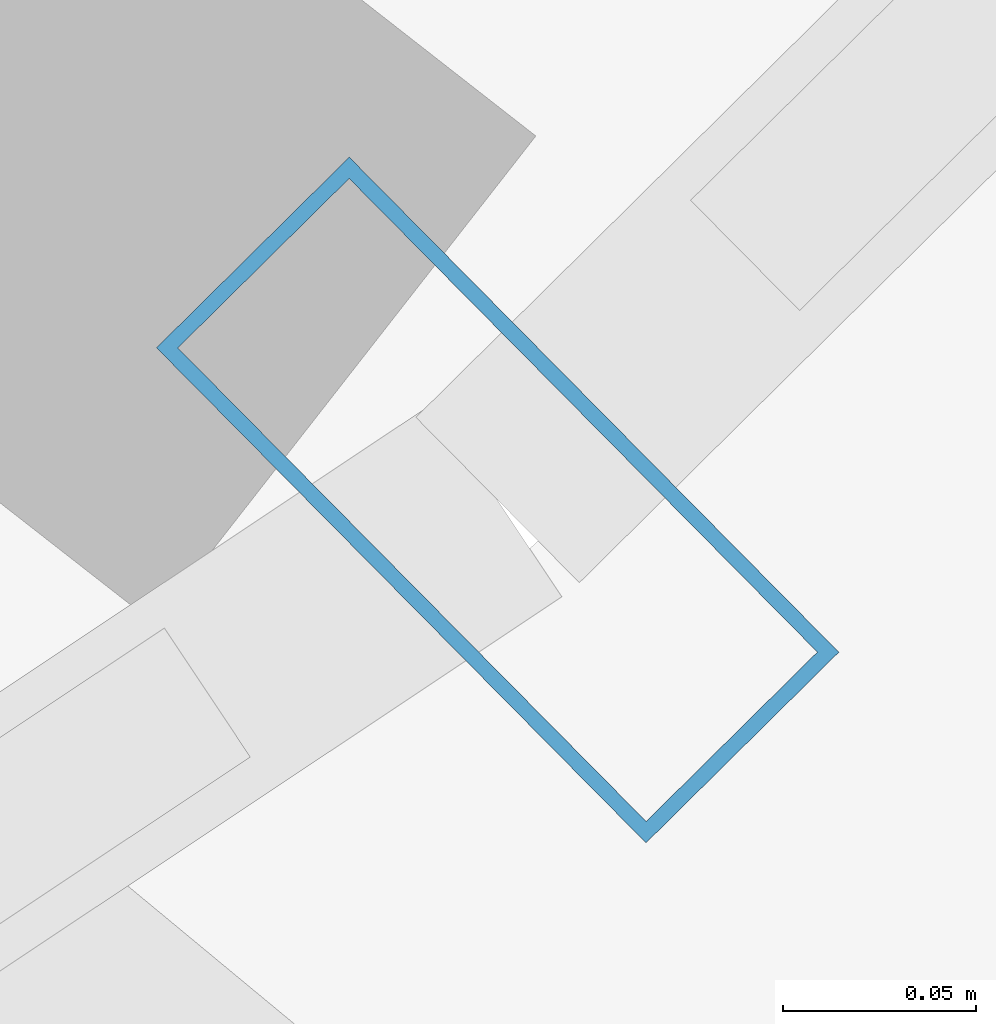
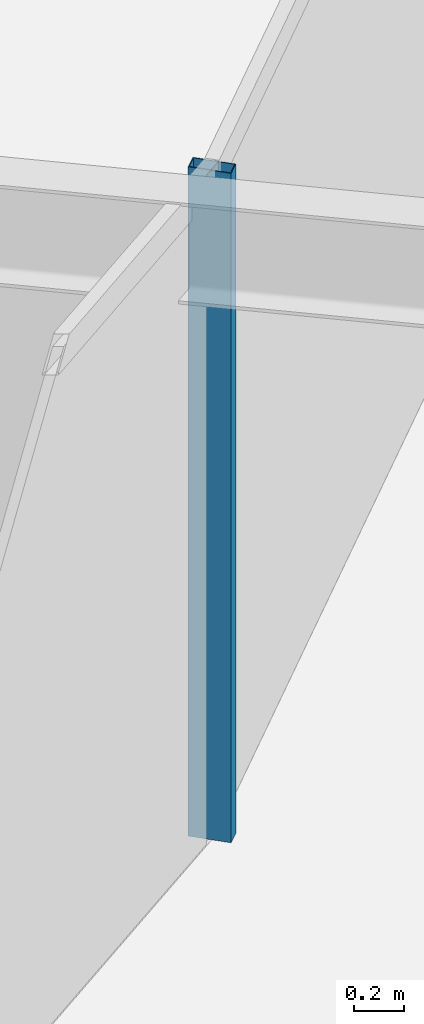
# One storey, part 7 of 21: 1 member, 1 element without a shape of its own.
"""IFC4 building model written with IfcOpenShell, lengths in metres."""

from ifc_helpers import new_model, si_unit, direction, frame, origin, origin_2d, place, context, subcontext, project, spatial, hollow_rectangle, extrude, material, layer, layer_set, material_profile, profile_set, type_object, element, aggregate, save


model = new_model("IFC4")

# Units and contexts
model_context = context("Model", 3, precision=1e-05, world=origin(), true_north=direction((0.0, 1.0)))
body_context = subcontext(model_context, "Body", "Model", "MODEL_VIEW")
ifc_project = project(units=[si_unit("LENGTHUNIT", "METRE"), si_unit("AREAUNIT", "SQUARE_METRE"), si_unit("VOLUMEUNIT", "CUBIC_METRE"), si_unit("PLANEANGLEUNIT", "RADIAN"), si_unit("MASSUNIT", "GRAM", prefix="KILO")], contexts=[model_context])

# Site, building, storey
site_placement = place(None, origin())
site = spatial("IfcSite", under=ifc_project, at=site_placement, CompositionType="ELEMENT")
building_placement = place(site_placement, origin())
building = spatial("IfcBuilding", under=site, at=building_placement, Name="Veldorina Hangang Commons", CompositionType="ELEMENT")
storey_placement = place(building_placement, frame((0.0, 0.0, 91.60009765625)))
storey = spatial("IfcBuildingStorey", under=building, at=storey_placement, Name="L23", CompositionType="ELEMENT", Elevation=91.60009765625)

# Curtain wall, member
ifc_material_1 = material(Name="Glass Low-E Triple IGU", Category="glass")
ifc_layer = layer(ifc_material_1, 0.179931640625)
ifc_layer_set = layer_set([ifc_layer], Name="Glass Low-E Triple IGU")
curtain_wall_type = type_object("IfcCurtainWallType", Name="CW-SYS-Z1", PredefinedType="NOTDEFINED", material=ifc_layer_set)
curtain_wall_placement = place(storey_placement, origin())
curtain_wall = element("IfcCurtainWall", 1, at=curtain_wall_placement, inside=storey, type_object=curtain_wall_type, Name="L23 unitised curtain wall CW-L23-R2", PredefinedType="NOTDEFINED")
ifc_material_2 = material(Name="Aluminium Anodized AA6063-T6", Category="aluminium")
ifc_material_profile = material_profile(ifc_material_2, hollow_rectangle(XDim=0.070068359375, YDim=0.179931640625, WallThickness=0.00390625, at=origin_2d()), Name="ALU-RHS-180x70x4")
ifc_profile_set = profile_set([ifc_material_profile], Name="Aluminium Anodized AA6063-T6")
member_type = type_object("IfcMemberType", Name="CW-MUL-180", PredefinedType="MULLION", material=ifc_profile_set)
member_placement = place(storey_placement, frame((50.668701171875, 8.85009765625, 0.0), z_axis=(0.0, 0.0, 1.0), x_axis=(0.711057233748, 0.703134133957, 0.0)))
member = element("IfcMember", 2, at=member_placement, type_object=member_type, Name="CW-L23-R2 vertical mullion 2", PredefinedType="MULLION", context=body_context, shape_type="SweptSolid", body=[
    extrude(hollow_rectangle(XDim=0.070068359375, YDim=0.179931640625, WallThickness=0.00390625, at=origin_2d()), origin(), (0.0, 0.0, 1.0), 3.2998046875),
])
aggregate(curtain_wall, [member])

save(model, "model.ifc")
